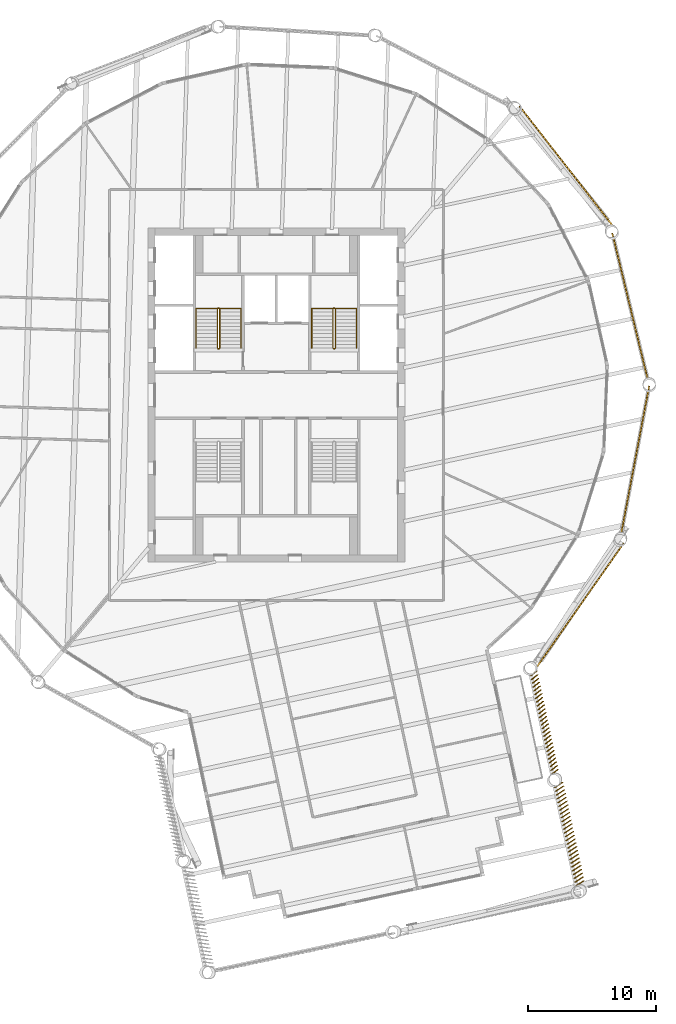
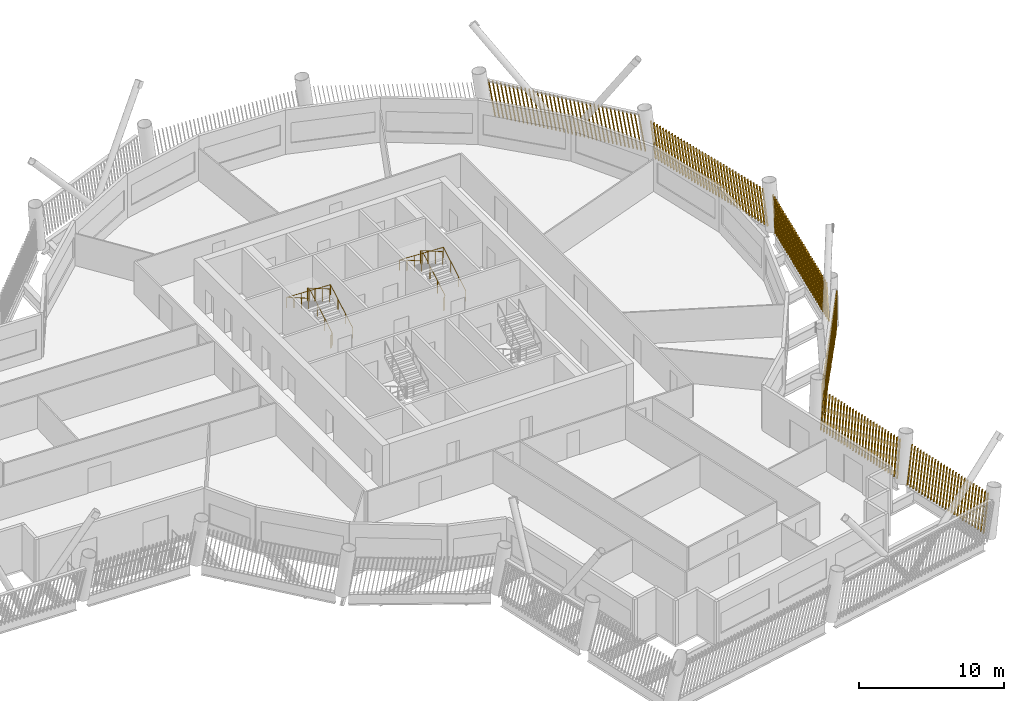
# One storey, part 19 of 21: 6 shading devices, 4 railings.
"""IFC4 building model written with IfcOpenShell, lengths in metres."""

from ifc_helpers import new_model, si_unit, direction, frame, frame_2d, origin, origin_2d, place, context, subcontext, project, spatial, rectangle, circle, composite_profile, extrude, material, type_object, element, save


model = new_model("IFC4")

# Units and contexts
model_context = context("Model", 3, precision=1e-05, world=origin(), true_north=direction((0.0, 1.0)))
body_context = subcontext(model_context, "Body", "Model", "MODEL_VIEW")
ifc_project = project(units=[si_unit("LENGTHUNIT", "METRE"), si_unit("AREAUNIT", "SQUARE_METRE"), si_unit("VOLUMEUNIT", "CUBIC_METRE"), si_unit("PLANEANGLEUNIT", "RADIAN"), si_unit("MASSUNIT", "GRAM", prefix="KILO")], contexts=[model_context])

# Site, building, storey
site_placement = place(None, origin())
site = spatial("IfcSite", under=ifc_project, at=site_placement, CompositionType="ELEMENT")
building_placement = place(site_placement, origin())
building = spatial("IfcBuilding", under=site, at=building_placement, Name="Tarsis Ring Headquarters", CompositionType="ELEMENT")
storey_placement = place(building_placement, frame((0.0, 0.0, 278.60009765625)))
storey = spatial("IfcBuildingStorey", under=building, at=storey_placement, Name="L65", CompositionType="ELEMENT", Elevation=278.60009765625)

# Railings
ifc_material_1 = material(Name="Steel S355", Category="steel")
railing_type_1 = type_object("IfcRailingType", Name="Core stair guard 1100", PredefinedType="GUARDRAIL", material=ifc_material_1)
railing_1_placement = place(storey_placement, frame((-4.5400390625, 3.610107421875, 0.0)))
element("IfcRailing", 1, at=railing_1_placement, inside=storey, type_object=railing_type_1, Name="L65 ST1 stair guard 1", PredefinedType="GUARDRAIL", context=body_context, shape_type="SweptSolid", body=[
    extrude(circle(Radius=0.02392578125, at=origin_2d()), frame((0.0, 0.0, 1.076171875), z_axis=(1.0, 0.0, 0.0), x_axis=(0.0, 1.0, 0.0)), (0.0, 0.0, 1.0), 0.080078125),
    extrude(circle(Radius=0.02392578125, at=origin_2d()), frame((0.080078125, 0.0, 1.076171875), z_axis=(0.282693820306, 0.281314826061, 0.917031173188), x_axis=(-0.705375805398, 0.708833529934, 0.0)), (0.0, 0.0, 1.0), 0.177001953125),
    extrude(circle(Radius=0.02392578125, at=origin_2d()), frame((0.130126953125, 0.0498046875, 1.23828125), z_axis=(0.0, 0.864890721111, 0.501960198159), x_axis=(-1.0, 0.0, 0.0)), (0.0, 0.0, 1.0), 3.561279296875),
    extrude(circle(Radius=0.02392578125, at=origin_2d()), frame((0.130126953125, 3.1298828125, 3.02587890625), z_axis=(-0.707106781187, 0.707106781187, 0.0), x_axis=(-0.707106781187, -0.707106781187, 0.0)), (0.0, 0.0, 1.0), 0.07080078125),
    extrude(circle(Radius=0.02392578125, at=origin_2d()), frame((0.080078125, 3.179931640625, 3.02587890625), z_axis=(-1.0, 0.0, 0.0), x_axis=(0.0, -1.0, 0.0)), (0.0, 0.0, 1.0), 0.080078125),
    extrude(circle(Radius=0.02392578125, at=origin_2d()), frame((0.0, 3.179931640625, 3.02587890625), z_axis=(-0.282583949758, -0.282583949758, 0.916674763849), x_axis=(0.707106781187, -0.707106781187, 0.0)), (0.0, 0.0, 1.0), 0.177001953125),
    extrude(circle(Radius=0.02392578125, at=origin_2d()), frame((-0.050048828125, 3.1298828125, 3.1884765625), z_axis=(0.0, -0.864890721111, 0.501960198159), x_axis=(1.0, 0.0, 0.0)), (0.0, 0.0, 1.0), 3.561279296875),
    extrude(circle(Radius=0.02099609375, at=origin_2d()), origin(), (0.0, 0.0, 1.0), 1.052001953125),
    extrude(circle(Radius=0.02099609375, at=origin_2d()), frame((0.080078125, 0.0, 0.0)), (0.0, 0.0, 1.0), 1.052001953125),
    extrude(circle(Radius=0.02099609375, at=origin_2d()), frame((0.130126953125, 0.0498046875, 0.162353515625)), (0.0, 0.0, 1.0), 1.052001953125),
    extrude(circle(Radius=0.02099609375, at=origin_2d()), frame((0.130126953125, 1.076416015625, 0.75830078125)), (0.0, 0.0, 1.0), 1.052001953125),
    extrude(circle(Radius=0.02099609375, at=origin_2d()), frame((0.130126953125, 2.103271484375, 1.35400390625)), (0.0, 0.0, 1.0), 1.052001953125),
    extrude(circle(Radius=0.02099609375, at=origin_2d()), frame((0.130126953125, 3.1298828125, 1.949951171875)), (0.0, 0.0, 1.0), 1.052001953125),
    extrude(circle(Radius=0.02099609375, at=origin_2d()), frame((0.080078125, 3.179931640625, 1.949951171875)), (0.0, 0.0, 1.0), 1.052001953125),
    extrude(circle(Radius=0.02099609375, at=origin_2d()), frame((0.0, 3.179931640625, 1.949951171875)), (0.0, 0.0, 1.0), 1.052001953125),
    extrude(circle(Radius=0.02099609375, at=origin_2d()), frame((-0.050048828125, 3.1298828125, 2.1123046875)), (0.0, 0.0, 1.0), 1.052001953125),
    extrude(circle(Radius=0.02099609375, at=origin_2d()), frame((-0.050048828125, 2.103271484375, 2.708251953125)), (0.0, 0.0, 1.0), 1.052001953125),
    extrude(circle(Radius=0.02099609375, at=origin_2d()), frame((-0.050048828125, 1.076416015625, 3.303955078125)), (0.0, 0.0, 1.0), 1.052001953125),
    extrude(circle(Radius=0.02099609375, at=origin_2d()), frame((-0.050048828125, 0.0498046875, 3.89990234375)), (0.0, 0.0, 1.0), 1.052001953125),
])
railing_2_placement = place(storey_placement, frame((4.4599609375, 3.610107421875, 0.0)))
element("IfcRailing", 2, at=railing_2_placement, inside=storey, type_object=railing_type_1, Name="L65 ST2 stair guard 1", PredefinedType="GUARDRAIL", context=body_context, shape_type="SweptSolid", body=[
    extrude(circle(Radius=0.02392578125, at=origin_2d()), frame((0.0, 0.0, 1.076171875), z_axis=(1.0, 0.0, 0.0), x_axis=(0.0, 1.0, 0.0)), (0.0, 0.0, 1.0), 0.080078125),
    extrude(circle(Radius=0.02392578125, at=origin_2d()), frame((0.080078125, 0.0, 1.076171875), z_axis=(0.282693820306, 0.281314826061, 0.917031173188), x_axis=(-0.705375805398, 0.708833529934, 0.0)), (0.0, 0.0, 1.0), 0.177001953125),
    extrude(circle(Radius=0.02392578125, at=origin_2d()), frame((0.130126953125, 0.0498046875, 1.23828125), z_axis=(0.0, 0.864890721111, 0.501960198159), x_axis=(-1.0, 0.0, 0.0)), (0.0, 0.0, 1.0), 3.561279296875),
    extrude(circle(Radius=0.02392578125, at=origin_2d()), frame((0.130126953125, 3.1298828125, 3.02587890625), z_axis=(-0.707106781187, 0.707106781187, 0.0), x_axis=(-0.707106781187, -0.707106781187, 0.0)), (0.0, 0.0, 1.0), 0.07080078125),
    extrude(circle(Radius=0.02392578125, at=origin_2d()), frame((0.080078125, 3.179931640625, 3.02587890625), z_axis=(-1.0, 0.0, 0.0), x_axis=(0.0, -1.0, 0.0)), (0.0, 0.0, 1.0), 0.080078125),
    extrude(circle(Radius=0.02392578125, at=origin_2d()), frame((0.0, 3.179931640625, 3.02587890625), z_axis=(-0.282583949758, -0.282583949758, 0.916674763849), x_axis=(0.707106781187, -0.707106781187, 0.0)), (0.0, 0.0, 1.0), 0.177001953125),
    extrude(circle(Radius=0.02392578125, at=origin_2d()), frame((-0.050048828125, 3.1298828125, 3.1884765625), z_axis=(0.0, -0.864890721111, 0.501960198159), x_axis=(1.0, 0.0, 0.0)), (0.0, 0.0, 1.0), 3.561279296875),
    extrude(circle(Radius=0.02099609375, at=origin_2d()), origin(), (0.0, 0.0, 1.0), 1.052001953125),
    extrude(circle(Radius=0.02099609375, at=origin_2d()), frame((0.080078125, 0.0, 0.0)), (0.0, 0.0, 1.0), 1.052001953125),
    extrude(circle(Radius=0.02099609375, at=origin_2d()), frame((0.130126953125, 0.0498046875, 0.162353515625)), (0.0, 0.0, 1.0), 1.052001953125),
    extrude(circle(Radius=0.02099609375, at=origin_2d()), frame((0.130126953125, 1.076416015625, 0.75830078125)), (0.0, 0.0, 1.0), 1.052001953125),
    extrude(circle(Radius=0.02099609375, at=origin_2d()), frame((0.130126953125, 2.103271484375, 1.35400390625)), (0.0, 0.0, 1.0), 1.052001953125),
    extrude(circle(Radius=0.02099609375, at=origin_2d()), frame((0.130126953125, 3.1298828125, 1.949951171875)), (0.0, 0.0, 1.0), 1.052001953125),
    extrude(circle(Radius=0.02099609375, at=origin_2d()), frame((0.080078125, 3.179931640625, 1.949951171875)), (0.0, 0.0, 1.0), 1.052001953125),
    extrude(circle(Radius=0.02099609375, at=origin_2d()), frame((0.0, 3.179931640625, 1.949951171875)), (0.0, 0.0, 1.0), 1.052001953125),
    extrude(circle(Radius=0.02099609375, at=origin_2d()), frame((-0.050048828125, 3.1298828125, 2.1123046875)), (0.0, 0.0, 1.0), 1.052001953125),
    extrude(circle(Radius=0.02099609375, at=origin_2d()), frame((-0.050048828125, 2.103271484375, 2.708251953125)), (0.0, 0.0, 1.0), 1.052001953125),
    extrude(circle(Radius=0.02099609375, at=origin_2d()), frame((-0.050048828125, 1.076416015625, 3.303955078125)), (0.0, 0.0, 1.0), 1.052001953125),
    extrude(circle(Radius=0.02099609375, at=origin_2d()), frame((-0.050048828125, 0.0498046875, 3.89990234375)), (0.0, 0.0, 1.0), 1.052001953125),
])
railing_type_2 = type_object("IfcRailingType", Name="Core stair handrail 900", PredefinedType="HANDRAIL", material=ifc_material_1)
railing_3_placement = place(storey_placement, frame((-2.75, 3.659912109375, 0.162353515625)))
element("IfcRailing", 3, at=railing_3_placement, inside=storey, type_object=railing_type_2, Name="L65 ST1 stair handrail 1", PredefinedType="HANDRAIL", context=body_context, shape_type="SweptSolid", body=[
    extrude(circle(Radius=0.02392578125, at=origin_2d()), frame((0.0, 0.0, 0.8759765625), z_axis=(0.0, 0.864890721111, 0.501960198159), x_axis=(-1.0, 0.0, 0.0)), (0.0, 0.0, 1.0), 3.561279296875),
    extrude(circle(Radius=0.02392578125, at=origin_2d()), frame((0.0, 3.080078125, 2.66357421875), z_axis=(-0.998925869279, 0.0, 0.04633689335), x_axis=(0.0, -1.0, 0.0)), (0.0, 0.0, 1.0), 3.503662109375),
    extrude(circle(Radius=0.02392578125, at=origin_2d()), frame((-3.5, 3.080078125, 2.82568359375), z_axis=(0.0, -0.864890721111, 0.501960198159), x_axis=(1.0, 0.0, 0.0)), (0.0, 0.0, 1.0), 3.561279296875),
    extrude(circle(Radius=0.02099609375, at=origin_2d()), origin(), (0.0, 0.0, 1.0), 0.851806640625),
    extrude(circle(Radius=0.02099609375, at=origin_2d()), frame((0.0, 1.026611328125, 0.595947265625)), (0.0, 0.0, 1.0), 0.851806640625),
    extrude(circle(Radius=0.02099609375, at=origin_2d()), frame((0.0, 2.053466796875, 1.191650390625)), (0.0, 0.0, 1.0), 0.851806640625),
    extrude(circle(Radius=0.02099609375, at=origin_2d()), frame((0.0, 3.080078125, 1.78759765625)), (0.0, 0.0, 1.0), 0.851806640625),
    extrude(circle(Radius=0.02099609375, at=origin_2d()), frame((-1.166748046875, 3.080078125, 1.841796875)), (0.0, 0.0, 1.0), 0.851806640625),
    extrude(circle(Radius=0.02099609375, at=origin_2d()), frame((-2.333251953125, 3.080078125, 1.895751953125)), (0.0, 0.0, 1.0), 0.851806640625),
    extrude(circle(Radius=0.02099609375, at=origin_2d()), frame((-3.5, 3.080078125, 1.949951171875)), (0.0, 0.0, 1.0), 0.851806640625),
    extrude(circle(Radius=0.02099609375, at=origin_2d()), frame((-3.5, 2.053466796875, 2.5458984375)), (0.0, 0.0, 1.0), 0.851806640625),
    extrude(circle(Radius=0.02099609375, at=origin_2d()), frame((-3.5, 1.026611328125, 3.1416015625)), (0.0, 0.0, 1.0), 0.851806640625),
    extrude(circle(Radius=0.02099609375, at=origin_2d()), frame((-3.5, 0.0, 3.737548828125)), (0.0, 0.0, 1.0), 0.851806640625),
])
railing_4_placement = place(storey_placement, frame((6.25, 3.659912109375, 0.162353515625)))
element("IfcRailing", 4, at=railing_4_placement, inside=storey, type_object=railing_type_2, Name="L65 ST2 stair handrail 1", PredefinedType="HANDRAIL", context=body_context, shape_type="SweptSolid", body=[
    extrude(circle(Radius=0.02392578125, at=origin_2d()), frame((0.0, 0.0, 0.8759765625), z_axis=(0.0, 0.864890721111, 0.501960198159), x_axis=(-1.0, 0.0, 0.0)), (0.0, 0.0, 1.0), 3.561279296875),
    extrude(circle(Radius=0.02392578125, at=origin_2d()), frame((0.0, 3.080078125, 2.66357421875), z_axis=(-0.998925869279, 0.0, 0.04633689335), x_axis=(0.0, -1.0, 0.0)), (0.0, 0.0, 1.0), 3.503662109375),
    extrude(circle(Radius=0.02392578125, at=origin_2d()), frame((-3.5, 3.080078125, 2.82568359375), z_axis=(0.0, -0.864890721111, 0.501960198159), x_axis=(1.0, 0.0, 0.0)), (0.0, 0.0, 1.0), 3.561279296875),
    extrude(circle(Radius=0.02099609375, at=origin_2d()), origin(), (0.0, 0.0, 1.0), 0.851806640625),
    extrude(circle(Radius=0.02099609375, at=origin_2d()), frame((0.0, 1.026611328125, 0.595947265625)), (0.0, 0.0, 1.0), 0.851806640625),
    extrude(circle(Radius=0.02099609375, at=origin_2d()), frame((0.0, 2.053466796875, 1.191650390625)), (0.0, 0.0, 1.0), 0.851806640625),
    extrude(circle(Radius=0.02099609375, at=origin_2d()), frame((0.0, 3.080078125, 1.78759765625)), (0.0, 0.0, 1.0), 0.851806640625),
    extrude(circle(Radius=0.02099609375, at=origin_2d()), frame((-1.166748046875, 3.080078125, 1.841796875)), (0.0, 0.0, 1.0), 0.851806640625),
    extrude(circle(Radius=0.02099609375, at=origin_2d()), frame((-2.333251953125, 3.080078125, 1.895751953125)), (0.0, 0.0, 1.0), 0.851806640625),
    extrude(circle(Radius=0.02099609375, at=origin_2d()), frame((-3.5, 3.080078125, 1.949951171875)), (0.0, 0.0, 1.0), 0.851806640625),
    extrude(circle(Radius=0.02099609375, at=origin_2d()), frame((-3.5, 2.053466796875, 2.5458984375)), (0.0, 0.0, 1.0), 0.851806640625),
    extrude(circle(Radius=0.02099609375, at=origin_2d()), frame((-3.5, 1.026611328125, 3.1416015625)), (0.0, 0.0, 1.0), 0.851806640625),
    extrude(circle(Radius=0.02099609375, at=origin_2d()), frame((-3.5, 0.0, 3.737548828125)), (0.0, 0.0, 1.0), 0.851806640625),
])

# Shading devices
ifc_material_2 = material(Name="Terracotta baguette", Category="masonry")
shading_device_type = type_object("IfcShadingDeviceType", Name="Terracotta baguette screen", PredefinedType="USERDEFINED", material=ifc_material_2)
shading_device_1_placement = place(storey_placement, frame((23.351318359375, -38.249755859375, 0.0), z_axis=(0.0, 0.0, 1.0), x_axis=(-0.209966941638, 0.977724225291, 0.0)))
element("IfcShadingDevice", 5, at=shading_device_1_placement, inside=storey, type_object=shading_device_type, Name="Baguette screen L65-05", ObjectType="Terracotta baguette screen", PredefinedType="USERDEFINED", context=body_context, shape_type="SweptSolid", body=[
    extrude(composite_profile([rectangle(XDim=0.06005859375, YDim=0.1201171875, at=frame_2d((0.030029296875, 0.0))), rectangle(XDim=0.06005859375, YDim=0.1201171875, at=frame_2d((0.33154296875, 0.0))), rectangle(XDim=0.06005859375, YDim=0.1201171875, at=frame_2d((0.63330078125, 0.0))), rectangle(XDim=0.06005859375, YDim=0.1201171875, at=frame_2d((0.934814453125, 0.0))), rectangle(XDim=0.06005859375, YDim=0.1201171875, at=frame_2d((1.236572265625, 0.0))), rectangle(XDim=0.06005859375, YDim=0.1201171875, at=frame_2d((1.5380859375, 0.0))), rectangle(XDim=0.06005859375, YDim=0.1201171875, at=frame_2d((1.83984375, 0.0))), rectangle(XDim=0.06005859375, YDim=0.1201171875, at=frame_2d((2.141357421875, 0.0))), rectangle(XDim=0.06005859375, YDim=0.1201171875, at=frame_2d((2.443115234375, 0.0))), rectangle(XDim=0.06005859375, YDim=0.1201171875, at=frame_2d((2.74462890625, 0.0))), rectangle(XDim=0.06005859375, YDim=0.1201171875, at=frame_2d((3.04638671875, 0.0))), rectangle(XDim=0.06005859375, YDim=0.1201171875, at=frame_2d((3.347900390625, 0.0))), rectangle(XDim=0.06005859375, YDim=0.1201171875, at=frame_2d((3.649658203125, 0.0))), rectangle(XDim=0.06005859375, YDim=0.1201171875, at=frame_2d((3.951171875, 0.0))), rectangle(XDim=0.06005859375, YDim=0.1201171875, at=frame_2d((4.252685546875, 0.0))), rectangle(XDim=0.06005859375, YDim=0.1201171875, at=frame_2d((4.554443359375, 0.0))), rectangle(XDim=0.06005859375, YDim=0.1201171875, at=frame_2d((4.85595703125, 0.0))), rectangle(XDim=0.06005859375, YDim=0.1201171875, at=frame_2d((5.15771484375, 0.0))), rectangle(XDim=0.06005859375, YDim=0.1201171875, at=frame_2d((5.459228515625, 0.0))), rectangle(XDim=0.06005859375, YDim=0.1201171875, at=frame_2d((5.760986328125, 0.0))), rectangle(XDim=0.06005859375, YDim=0.1201171875, at=frame_2d((6.0625, 0.0))), rectangle(XDim=0.06005859375, YDim=0.1201171875, at=frame_2d((6.3642578125, 0.0))), rectangle(XDim=0.06005859375, YDim=0.1201171875, at=frame_2d((6.665771484375, 0.0))), rectangle(XDim=0.06005859375, YDim=0.1201171875, at=frame_2d((6.967529296875, 0.0))), rectangle(XDim=0.06005859375, YDim=0.1201171875, at=frame_2d((7.26904296875, 0.0))), rectangle(XDim=0.06005859375, YDim=0.1201171875, at=frame_2d((7.57080078125, 0.0))), rectangle(XDim=0.06005859375, YDim=0.1201171875, at=frame_2d((7.872314453125, 0.0)))]), origin(), (0.086509991443, -0.21846734763, 0.972002077878), 3.05322265625),
])
shading_device_2_placement = place(storey_placement, frame((21.482177734375, -29.5458984375, 0.0), z_axis=(0.0, 0.0, 1.0), x_axis=(-0.209936045973, 0.977724225291, 0.0)))
element("IfcShadingDevice", 6, at=shading_device_2_placement, inside=storey, type_object=shading_device_type, Name="Baguette screen L65-06", ObjectType="Terracotta baguette screen", PredefinedType="USERDEFINED", context=body_context, shape_type="SweptSolid", body=[
    extrude(composite_profile([rectangle(XDim=0.06005859375, YDim=0.1201171875, at=frame_2d((0.030029296875, 0.0))), rectangle(XDim=0.06005859375, YDim=0.1201171875, at=frame_2d((0.33154296875, 0.0))), rectangle(XDim=0.06005859375, YDim=0.1201171875, at=frame_2d((0.63330078125, 0.0))), rectangle(XDim=0.06005859375, YDim=0.1201171875, at=frame_2d((0.934814453125, 0.0))), rectangle(XDim=0.06005859375, YDim=0.1201171875, at=frame_2d((1.236572265625, 0.0))), rectangle(XDim=0.06005859375, YDim=0.1201171875, at=frame_2d((1.5380859375, 0.0))), rectangle(XDim=0.06005859375, YDim=0.1201171875, at=frame_2d((1.83984375, 0.0))), rectangle(XDim=0.06005859375, YDim=0.1201171875, at=frame_2d((2.141357421875, 0.0))), rectangle(XDim=0.06005859375, YDim=0.1201171875, at=frame_2d((2.443115234375, 0.0))), rectangle(XDim=0.06005859375, YDim=0.1201171875, at=frame_2d((2.74462890625, 0.0))), rectangle(XDim=0.06005859375, YDim=0.1201171875, at=frame_2d((3.04638671875, 0.0))), rectangle(XDim=0.06005859375, YDim=0.1201171875, at=frame_2d((3.347900390625, 0.0))), rectangle(XDim=0.06005859375, YDim=0.1201171875, at=frame_2d((3.649658203125, 0.0))), rectangle(XDim=0.06005859375, YDim=0.1201171875, at=frame_2d((3.951171875, 0.0))), rectangle(XDim=0.06005859375, YDim=0.1201171875, at=frame_2d((4.252685546875, 0.0))), rectangle(XDim=0.06005859375, YDim=0.1201171875, at=frame_2d((4.554443359375, 0.0))), rectangle(XDim=0.06005859375, YDim=0.1201171875, at=frame_2d((4.85595703125, 0.0))), rectangle(XDim=0.06005859375, YDim=0.1201171875, at=frame_2d((5.15771484375, 0.0))), rectangle(XDim=0.06005859375, YDim=0.1201171875, at=frame_2d((5.459228515625, 0.0))), rectangle(XDim=0.06005859375, YDim=0.1201171875, at=frame_2d((5.760986328125, 0.0))), rectangle(XDim=0.06005859375, YDim=0.1201171875, at=frame_2d((6.0625, 0.0))), rectangle(XDim=0.06005859375, YDim=0.1201171875, at=frame_2d((6.3642578125, 0.0))), rectangle(XDim=0.06005859375, YDim=0.1201171875, at=frame_2d((6.665771484375, 0.0))), rectangle(XDim=0.06005859375, YDim=0.1201171875, at=frame_2d((6.967529296875, 0.0))), rectangle(XDim=0.06005859375, YDim=0.1201171875, at=frame_2d((7.26904296875, 0.0))), rectangle(XDim=0.06005859375, YDim=0.1201171875, at=frame_2d((7.57080078125, 0.0))), rectangle(XDim=0.06005859375, YDim=0.1201171875, at=frame_2d((7.872314453125, 0.0)))]), origin(), (0.086932173989, -0.169254946155, 0.981730900159), 3.02294921875),
])
shading_device_3_placement = place(storey_placement, frame((20.3125, -21.13720703125, 0.0), z_axis=(0.0, 0.0, 1.0), x_axis=(0.574693434617, 0.818361367336, 0.0)))
element("IfcShadingDevice", 7, at=shading_device_3_placement, inside=storey, type_object=shading_device_type, Name="Baguette screen L65-07", ObjectType="Terracotta baguette screen", PredefinedType="USERDEFINED", context=body_context, shape_type="SweptSolid", body=[
    extrude(composite_profile([rectangle(XDim=0.06005859375, YDim=0.1201171875, at=frame_2d((0.030029296875, 0.0))), rectangle(XDim=0.06005859375, YDim=0.1201171875, at=frame_2d((0.33251953125, 0.0))), rectangle(XDim=0.06005859375, YDim=0.1201171875, at=frame_2d((0.634765625, 0.0))), rectangle(XDim=0.06005859375, YDim=0.1201171875, at=frame_2d((0.937255859375, 0.0))), rectangle(XDim=0.06005859375, YDim=0.1201171875, at=frame_2d((1.239501953125, 0.0))), rectangle(XDim=0.06005859375, YDim=0.1201171875, at=frame_2d((1.5419921875, 0.0))), rectangle(XDim=0.06005859375, YDim=0.1201171875, at=frame_2d((1.844482421875, 0.0))), rectangle(XDim=0.06005859375, YDim=0.1201171875, at=frame_2d((2.146728515625, 0.0))), rectangle(XDim=0.06005859375, YDim=0.1201171875, at=frame_2d((2.44921875, 0.0))), rectangle(XDim=0.06005859375, YDim=0.1201171875, at=frame_2d((2.751708984375, 0.0))), rectangle(XDim=0.06005859375, YDim=0.1201171875, at=frame_2d((3.053955078125, 0.0))), rectangle(XDim=0.06005859375, YDim=0.1201171875, at=frame_2d((3.3564453125, 0.0))), rectangle(XDim=0.06005859375, YDim=0.1201171875, at=frame_2d((3.65869140625, 0.0))), rectangle(XDim=0.06005859375, YDim=0.1201171875, at=frame_2d((3.961181640625, 0.0))), rectangle(XDim=0.06005859375, YDim=0.1201171875, at=frame_2d((4.263671875, 0.0))), rectangle(XDim=0.06005859375, YDim=0.1201171875, at=frame_2d((4.56591796875, 0.0))), rectangle(XDim=0.06005859375, YDim=0.1201171875, at=frame_2d((4.868408203125, 0.0))), rectangle(XDim=0.06005859375, YDim=0.1201171875, at=frame_2d((5.1708984375, 0.0))), rectangle(XDim=0.06005859375, YDim=0.1201171875, at=frame_2d((5.47314453125, 0.0))), rectangle(XDim=0.06005859375, YDim=0.1201171875, at=frame_2d((5.775634765625, 0.0))), rectangle(XDim=0.06005859375, YDim=0.1201171875, at=frame_2d((6.077880859375, 0.0))), rectangle(XDim=0.06005859375, YDim=0.1201171875, at=frame_2d((6.38037109375, 0.0))), rectangle(XDim=0.06005859375, YDim=0.1201171875, at=frame_2d((6.682861328125, 0.0))), rectangle(XDim=0.06005859375, YDim=0.1201171875, at=frame_2d((6.985107421875, 0.0))), rectangle(XDim=0.06005859375, YDim=0.1201171875, at=frame_2d((7.28759765625, 0.0))), rectangle(XDim=0.06005859375, YDim=0.1201171875, at=frame_2d((7.590087890625, 0.0))), rectangle(XDim=0.06005859375, YDim=0.1201171875, at=frame_2d((7.892333984375, 0.0))), rectangle(XDim=0.06005859375, YDim=0.1201171875, at=frame_2d((8.19482421875, 0.0))), rectangle(XDim=0.06005859375, YDim=0.1201171875, at=frame_2d((8.4970703125, 0.0))), rectangle(XDim=0.06005859375, YDim=0.1201171875, at=frame_2d((8.799560546875, 0.0))), rectangle(XDim=0.06005859375, YDim=0.1201171875, at=frame_2d((9.10205078125, 0.0))), rectangle(XDim=0.06005859375, YDim=0.1201171875, at=frame_2d((9.404296875, 0.0))), rectangle(XDim=0.06005859375, YDim=0.1201171875, at=frame_2d((9.706787109375, 0.0))), rectangle(XDim=0.06005859375, YDim=0.1201171875, at=frame_2d((10.00927734375, 0.0))), rectangle(XDim=0.06005859375, YDim=0.1201171875, at=frame_2d((10.3115234375, 0.0))), rectangle(XDim=0.06005859375, YDim=0.1201171875, at=frame_2d((10.614013671875, 0.0))), rectangle(XDim=0.06005859375, YDim=0.1201171875, at=frame_2d((10.916259765625, 0.0))), rectangle(XDim=0.06005859375, YDim=0.1201171875, at=frame_2d((11.21875, 0.0)))]), origin(), (0.166817459271, 0.001454720697, 0.985986723577), 3.010009765625),
])
shading_device_4_placement = place(storey_placement, frame((26.850830078125, -10.815673828125, 0.0), z_axis=(0.0, 0.0, 1.0), x_axis=(0.186283233858, 0.98250678242, 0.0)))
element("IfcShadingDevice", 8, at=shading_device_4_placement, inside=storey, type_object=shading_device_type, Name="Baguette screen L65-08", ObjectType="Terracotta baguette screen", PredefinedType="USERDEFINED", context=body_context, shape_type="SweptSolid", body=[
    extrude(composite_profile([rectangle(XDim=0.06005859375, YDim=0.1201171875, at=frame_2d((0.030029296875, 0.0))), rectangle(XDim=0.06005859375, YDim=0.1201171875, at=frame_2d((0.33251953125, 0.0))), rectangle(XDim=0.06005859375, YDim=0.1201171875, at=frame_2d((0.634765625, 0.0))), rectangle(XDim=0.06005859375, YDim=0.1201171875, at=frame_2d((0.937255859375, 0.0))), rectangle(XDim=0.06005859375, YDim=0.1201171875, at=frame_2d((1.239501953125, 0.0))), rectangle(XDim=0.06005859375, YDim=0.1201171875, at=frame_2d((1.5419921875, 0.0))), rectangle(XDim=0.06005859375, YDim=0.1201171875, at=frame_2d((1.844482421875, 0.0))), rectangle(XDim=0.06005859375, YDim=0.1201171875, at=frame_2d((2.146728515625, 0.0))), rectangle(XDim=0.06005859375, YDim=0.1201171875, at=frame_2d((2.44921875, 0.0))), rectangle(XDim=0.06005859375, YDim=0.1201171875, at=frame_2d((2.751708984375, 0.0))), rectangle(XDim=0.06005859375, YDim=0.1201171875, at=frame_2d((3.053955078125, 0.0))), rectangle(XDim=0.06005859375, YDim=0.1201171875, at=frame_2d((3.3564453125, 0.0))), rectangle(XDim=0.06005859375, YDim=0.1201171875, at=frame_2d((3.65869140625, 0.0))), rectangle(XDim=0.06005859375, YDim=0.1201171875, at=frame_2d((3.961181640625, 0.0))), rectangle(XDim=0.06005859375, YDim=0.1201171875, at=frame_2d((4.263671875, 0.0))), rectangle(XDim=0.06005859375, YDim=0.1201171875, at=frame_2d((4.56591796875, 0.0))), rectangle(XDim=0.06005859375, YDim=0.1201171875, at=frame_2d((4.868408203125, 0.0))), rectangle(XDim=0.06005859375, YDim=0.1201171875, at=frame_2d((5.1708984375, 0.0))), rectangle(XDim=0.06005859375, YDim=0.1201171875, at=frame_2d((5.47314453125, 0.0))), rectangle(XDim=0.06005859375, YDim=0.1201171875, at=frame_2d((5.775634765625, 0.0))), rectangle(XDim=0.06005859375, YDim=0.1201171875, at=frame_2d((6.077880859375, 0.0))), rectangle(XDim=0.06005859375, YDim=0.1201171875, at=frame_2d((6.38037109375, 0.0))), rectangle(XDim=0.06005859375, YDim=0.1201171875, at=frame_2d((6.682861328125, 0.0))), rectangle(XDim=0.06005859375, YDim=0.1201171875, at=frame_2d((6.985107421875, 0.0))), rectangle(XDim=0.06005859375, YDim=0.1201171875, at=frame_2d((7.28759765625, 0.0))), rectangle(XDim=0.06005859375, YDim=0.1201171875, at=frame_2d((7.590087890625, 0.0))), rectangle(XDim=0.06005859375, YDim=0.1201171875, at=frame_2d((7.892333984375, 0.0))), rectangle(XDim=0.06005859375, YDim=0.1201171875, at=frame_2d((8.19482421875, 0.0))), rectangle(XDim=0.06005859375, YDim=0.1201171875, at=frame_2d((8.4970703125, 0.0))), rectangle(XDim=0.06005859375, YDim=0.1201171875, at=frame_2d((8.799560546875, 0.0))), rectangle(XDim=0.06005859375, YDim=0.1201171875, at=frame_2d((9.10205078125, 0.0))), rectangle(XDim=0.06005859375, YDim=0.1201171875, at=frame_2d((9.404296875, 0.0))), rectangle(XDim=0.06005859375, YDim=0.1201171875, at=frame_2d((9.706787109375, 0.0))), rectangle(XDim=0.06005859375, YDim=0.1201171875, at=frame_2d((10.00927734375, 0.0))), rectangle(XDim=0.06005859375, YDim=0.1201171875, at=frame_2d((10.3115234375, 0.0))), rectangle(XDim=0.06005859375, YDim=0.1201171875, at=frame_2d((10.614013671875, 0.0))), rectangle(XDim=0.06005859375, YDim=0.1201171875, at=frame_2d((10.916259765625, 0.0))), rectangle(XDim=0.06005859375, YDim=0.1201171875, at=frame_2d((11.21875, 0.0)))]), origin(), (0.164704909818, 0.001436136649, 0.986341842463), 3.0087890625),
])
shading_device_5_placement = place(storey_placement, frame((28.921875, 1.21337890625, 0.0), z_axis=(0.0, 0.0, 1.0), x_axis=(-0.235268583831, 0.971937059143, 0.0)))
element("IfcShadingDevice", 9, at=shading_device_5_placement, inside=storey, type_object=shading_device_type, Name="Baguette screen L65-09", ObjectType="Terracotta baguette screen", PredefinedType="USERDEFINED", context=body_context, shape_type="SweptSolid", body=[
    extrude(composite_profile([rectangle(XDim=0.06005859375, YDim=0.1201171875, at=frame_2d((0.030029296875, 0.0))), rectangle(XDim=0.06005859375, YDim=0.1201171875, at=frame_2d((0.33251953125, 0.0))), rectangle(XDim=0.06005859375, YDim=0.1201171875, at=frame_2d((0.634765625, 0.0))), rectangle(XDim=0.06005859375, YDim=0.1201171875, at=frame_2d((0.937255859375, 0.0))), rectangle(XDim=0.06005859375, YDim=0.1201171875, at=frame_2d((1.239501953125, 0.0))), rectangle(XDim=0.06005859375, YDim=0.1201171875, at=frame_2d((1.5419921875, 0.0))), rectangle(XDim=0.06005859375, YDim=0.1201171875, at=frame_2d((1.844482421875, 0.0))), rectangle(XDim=0.06005859375, YDim=0.1201171875, at=frame_2d((2.146728515625, 0.0))), rectangle(XDim=0.06005859375, YDim=0.1201171875, at=frame_2d((2.44921875, 0.0))), rectangle(XDim=0.06005859375, YDim=0.1201171875, at=frame_2d((2.751708984375, 0.0))), rectangle(XDim=0.06005859375, YDim=0.1201171875, at=frame_2d((3.053955078125, 0.0))), rectangle(XDim=0.06005859375, YDim=0.1201171875, at=frame_2d((3.3564453125, 0.0))), rectangle(XDim=0.06005859375, YDim=0.1201171875, at=frame_2d((3.65869140625, 0.0))), rectangle(XDim=0.06005859375, YDim=0.1201171875, at=frame_2d((3.961181640625, 0.0))), rectangle(XDim=0.06005859375, YDim=0.1201171875, at=frame_2d((4.263671875, 0.0))), rectangle(XDim=0.06005859375, YDim=0.1201171875, at=frame_2d((4.56591796875, 0.0))), rectangle(XDim=0.06005859375, YDim=0.1201171875, at=frame_2d((4.868408203125, 0.0))), rectangle(XDim=0.06005859375, YDim=0.1201171875, at=frame_2d((5.1708984375, 0.0))), rectangle(XDim=0.06005859375, YDim=0.1201171875, at=frame_2d((5.47314453125, 0.0))), rectangle(XDim=0.06005859375, YDim=0.1201171875, at=frame_2d((5.775634765625, 0.0))), rectangle(XDim=0.06005859375, YDim=0.1201171875, at=frame_2d((6.077880859375, 0.0))), rectangle(XDim=0.06005859375, YDim=0.1201171875, at=frame_2d((6.38037109375, 0.0))), rectangle(XDim=0.06005859375, YDim=0.1201171875, at=frame_2d((6.682861328125, 0.0))), rectangle(XDim=0.06005859375, YDim=0.1201171875, at=frame_2d((6.985107421875, 0.0))), rectangle(XDim=0.06005859375, YDim=0.1201171875, at=frame_2d((7.28759765625, 0.0))), rectangle(XDim=0.06005859375, YDim=0.1201171875, at=frame_2d((7.590087890625, 0.0))), rectangle(XDim=0.06005859375, YDim=0.1201171875, at=frame_2d((7.892333984375, 0.0))), rectangle(XDim=0.06005859375, YDim=0.1201171875, at=frame_2d((8.19482421875, 0.0))), rectangle(XDim=0.06005859375, YDim=0.1201171875, at=frame_2d((8.4970703125, 0.0))), rectangle(XDim=0.06005859375, YDim=0.1201171875, at=frame_2d((8.799560546875, 0.0))), rectangle(XDim=0.06005859375, YDim=0.1201171875, at=frame_2d((9.10205078125, 0.0))), rectangle(XDim=0.06005859375, YDim=0.1201171875, at=frame_2d((9.404296875, 0.0))), rectangle(XDim=0.06005859375, YDim=0.1201171875, at=frame_2d((9.706787109375, 0.0))), rectangle(XDim=0.06005859375, YDim=0.1201171875, at=frame_2d((10.00927734375, 0.0))), rectangle(XDim=0.06005859375, YDim=0.1201171875, at=frame_2d((10.3115234375, 0.0))), rectangle(XDim=0.06005859375, YDim=0.1201171875, at=frame_2d((10.614013671875, 0.0))), rectangle(XDim=0.06005859375, YDim=0.1201171875, at=frame_2d((10.916259765625, 0.0))), rectangle(XDim=0.06005859375, YDim=0.1201171875, at=frame_2d((11.21875, 0.0)))]), origin(), (0.164704371652, 0.001434333462, 0.986341934953), 3.0087890625),
])
shading_device_6_placement = place(storey_placement, frame((26.14599609375, 13.25732421875, 0.0), z_axis=(0.0, 0.0, 1.0), x_axis=(-0.614940533032, 0.788566715861, 0.0)))
element("IfcShadingDevice", 10, at=shading_device_6_placement, inside=storey, type_object=shading_device_type, Name="Baguette screen L65-10", ObjectType="Terracotta baguette screen", PredefinedType="USERDEFINED", context=body_context, shape_type="SweptSolid", body=[
    extrude(composite_profile([rectangle(XDim=0.06005859375, YDim=0.1201171875, at=frame_2d((0.030029296875, 0.0))), rectangle(XDim=0.06005859375, YDim=0.1201171875, at=frame_2d((0.33251953125, 0.0))), rectangle(XDim=0.06005859375, YDim=0.1201171875, at=frame_2d((0.634765625, 0.0))), rectangle(XDim=0.06005859375, YDim=0.1201171875, at=frame_2d((0.937255859375, 0.0))), rectangle(XDim=0.06005859375, YDim=0.1201171875, at=frame_2d((1.239501953125, 0.0))), rectangle(XDim=0.06005859375, YDim=0.1201171875, at=frame_2d((1.5419921875, 0.0))), rectangle(XDim=0.06005859375, YDim=0.1201171875, at=frame_2d((1.844482421875, 0.0))), rectangle(XDim=0.06005859375, YDim=0.1201171875, at=frame_2d((2.146728515625, 0.0))), rectangle(XDim=0.06005859375, YDim=0.1201171875, at=frame_2d((2.44921875, 0.0))), rectangle(XDim=0.06005859375, YDim=0.1201171875, at=frame_2d((2.751708984375, 0.0))), rectangle(XDim=0.06005859375, YDim=0.1201171875, at=frame_2d((3.053955078125, 0.0))), rectangle(XDim=0.06005859375, YDim=0.1201171875, at=frame_2d((3.3564453125, 0.0))), rectangle(XDim=0.06005859375, YDim=0.1201171875, at=frame_2d((3.65869140625, 0.0))), rectangle(XDim=0.06005859375, YDim=0.1201171875, at=frame_2d((3.961181640625, 0.0))), rectangle(XDim=0.06005859375, YDim=0.1201171875, at=frame_2d((4.263671875, 0.0))), rectangle(XDim=0.06005859375, YDim=0.1201171875, at=frame_2d((4.56591796875, 0.0))), rectangle(XDim=0.06005859375, YDim=0.1201171875, at=frame_2d((4.868408203125, 0.0))), rectangle(XDim=0.06005859375, YDim=0.1201171875, at=frame_2d((5.1708984375, 0.0))), rectangle(XDim=0.06005859375, YDim=0.1201171875, at=frame_2d((5.47314453125, 0.0))), rectangle(XDim=0.06005859375, YDim=0.1201171875, at=frame_2d((5.775634765625, 0.0))), rectangle(XDim=0.06005859375, YDim=0.1201171875, at=frame_2d((6.077880859375, 0.0))), rectangle(XDim=0.06005859375, YDim=0.1201171875, at=frame_2d((6.38037109375, 0.0))), rectangle(XDim=0.06005859375, YDim=0.1201171875, at=frame_2d((6.682861328125, 0.0))), rectangle(XDim=0.06005859375, YDim=0.1201171875, at=frame_2d((6.985107421875, 0.0))), rectangle(XDim=0.06005859375, YDim=0.1201171875, at=frame_2d((7.28759765625, 0.0))), rectangle(XDim=0.06005859375, YDim=0.1201171875, at=frame_2d((7.590087890625, 0.0))), rectangle(XDim=0.06005859375, YDim=0.1201171875, at=frame_2d((7.892333984375, 0.0))), rectangle(XDim=0.06005859375, YDim=0.1201171875, at=frame_2d((8.19482421875, 0.0))), rectangle(XDim=0.06005859375, YDim=0.1201171875, at=frame_2d((8.4970703125, 0.0))), rectangle(XDim=0.06005859375, YDim=0.1201171875, at=frame_2d((8.799560546875, 0.0))), rectangle(XDim=0.06005859375, YDim=0.1201171875, at=frame_2d((9.10205078125, 0.0))), rectangle(XDim=0.06005859375, YDim=0.1201171875, at=frame_2d((9.404296875, 0.0))), rectangle(XDim=0.06005859375, YDim=0.1201171875, at=frame_2d((9.706787109375, 0.0))), rectangle(XDim=0.06005859375, YDim=0.1201171875, at=frame_2d((10.00927734375, 0.0))), rectangle(XDim=0.06005859375, YDim=0.1201171875, at=frame_2d((10.3115234375, 0.0))), rectangle(XDim=0.06005859375, YDim=0.1201171875, at=frame_2d((10.614013671875, 0.0))), rectangle(XDim=0.06005859375, YDim=0.1201171875, at=frame_2d((10.916259765625, 0.0))), rectangle(XDim=0.06005859375, YDim=0.1201171875, at=frame_2d((11.21875, 0.0)))]), origin(), (0.166817556666, 0.001458595677, 0.985986701374), 3.010009765625),
])

save(model, "model.ifc")
